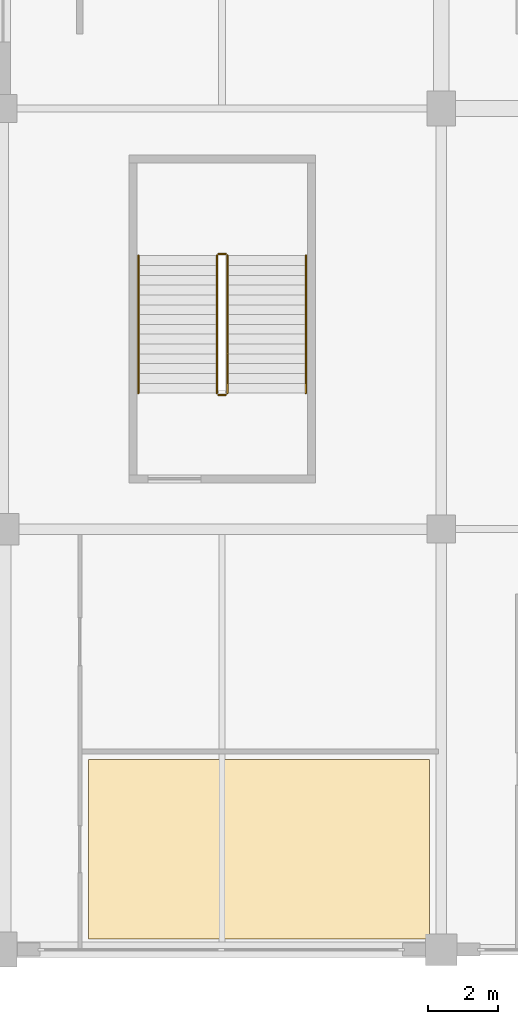
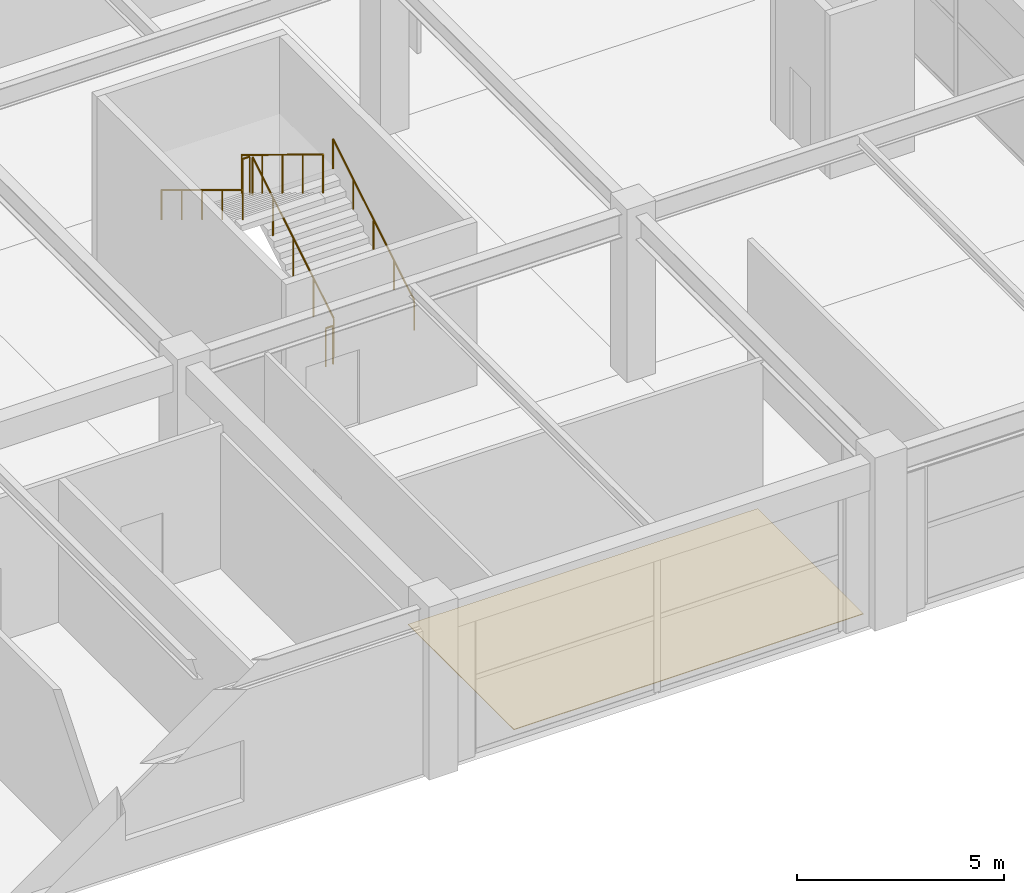
# One storey, part 103 of 116: 6 railings, 1 covering.
"""IFC4 building model written with IfcOpenShell, lengths in metres."""

from ifc_helpers import new_model, si_unit, direction, frame, origin, origin_2d, place, context, subcontext, project, spatial, polyline, circle, outline, extrude, material, layer, layer_set, type_object, element, save


model = new_model("IFC4")

# Units and contexts
model_context = context("Model", 3, precision=1e-05, world=origin(), true_north=direction((0.0, 1.0)))
body_context = subcontext(model_context, "Body", "Model", "MODEL_VIEW")
ifc_project = project(units=[si_unit("LENGTHUNIT", "METRE"), si_unit("AREAUNIT", "SQUARE_METRE"), si_unit("VOLUMEUNIT", "CUBIC_METRE"), si_unit("PLANEANGLEUNIT", "RADIAN"), si_unit("MASSUNIT", "GRAM", prefix="KILO")], contexts=[model_context])

# Site, building, storey
site_placement = place(None, origin())
site = spatial("IfcSite", under=ifc_project, at=site_placement, CompositionType="ELEMENT")
building_placement = place(site_placement, origin())
building = spatial("IfcBuilding", under=site, at=building_placement, Name="Kazenohara Klinker Stadium", CompositionType="ELEMENT")
storey_placement = place(building_placement, frame((0.0, 0.0, 10.199951171875)))
storey = spatial("IfcBuildingStorey", under=building, at=storey_placement, Name="L02", CompositionType="ELEMENT", Elevation=10.199951171875)

# Covering
ifc_material_1 = material(Name="Slip-resistant honed basalt terrazzo flooring", Category="masonry")
ifc_layer_1 = layer(ifc_material_1, 0.02001953125)
ifc_layer_set_1 = layer_set([ifc_layer_1], Name="Slip-resistant honed basalt terrazzo flooring")
covering_type = type_object("IfcCoveringType", Name="COV-FLR-01", PredefinedType="FLOORING", material=ifc_layer_set_1)
covering_placement = place(storey_placement, origin())
element("IfcCovering", 1, at=covering_placement, inside=storey, type_object=covering_type, Name="Interior floor finish FL01 Founders Club Hospitality Lounge L02-1401A", PredefinedType="FLOORING", context=body_context, shape_type="SweptSolid", body=[
    extrude(outline(polyline([(177.429931640625, 12.31005859375), (187.169921875, 12.31005859375), (187.169921875, 17.419677734375), (177.429931640625, 17.419677734375), (177.429931640625, 12.31005859375)])), origin(), (0.0, 0.0, 1.0), 0.02001953125),
])

# Railings
ifc_material_2 = material(Name="Brushed stainless steel 304 handrail", Category="steel")
ifc_layer_2 = layer(ifc_material_2, 0.050048828125)
ifc_layer_set_2 = layer_set([ifc_layer_2], Name="Brushed stainless steel 304 handrail")
railing_type_1 = type_object("IfcRailingType", Name="RL-HND-900", PredefinedType="HANDRAIL", material=ifc_layer_set_2)
railing_1_placement = place(storey_placement, frame((183.639892578125, 27.8798828125, 0.170166015625)))
element("IfcRailing", 2, at=railing_1_placement, inside=storey, type_object=railing_type_1, Name="L02 ST16 stair handrail 1", PredefinedType="HANDRAIL", context=body_context, shape_type="SweptSolid", body=[
    extrude(circle(Radius=0.02392578125, at=origin_2d()), frame((0.0, 0.0, 0.8759765625), z_axis=(0.0, 0.854808600491, 0.518943403973), x_axis=(-1.0, 0.0, 0.0)), (0.0, 0.0, 1.0), 4.5859375),
    extrude(circle(Radius=0.02099609375, at=origin_2d()), origin(), (0.0, 0.0, 1.0), 0.851806640625),
    extrude(circle(Radius=0.02099609375, at=origin_2d()), frame((0.0, 0.97998046875, 0.594970703125)), (0.0, 0.0, 1.0), 0.851806640625),
    extrude(circle(Radius=0.02099609375, at=origin_2d()), frame((0.0, 1.9599609375, 1.18994140625)), (0.0, 0.0, 1.0), 0.851806640625),
    extrude(circle(Radius=0.02099609375, at=origin_2d()), frame((0.0, 2.940185546875, 1.784912109375)), (0.0, 0.0, 1.0), 0.851806640625),
    extrude(circle(Radius=0.02099609375, at=origin_2d()), frame((0.0, 3.920166015625, 2.3798828125)), (0.0, 0.0, 1.0), 0.851806640625),
])
railing_2_placement = place(storey_placement, frame((178.860107421875, 31.800048828125, 2.719970703125)))
element("IfcRailing", 3, at=railing_2_placement, inside=storey, type_object=railing_type_1, Name="L02 ST16 stair handrail 2", PredefinedType="HANDRAIL", context=body_context, shape_type="SweptSolid", body=[
    extrude(circle(Radius=0.02392578125, at=origin_2d()), frame((0.0, 0.0, 0.8759765625), z_axis=(0.0, -0.854784984964, 0.518982301701), x_axis=(1.0, 0.0, 0.0)), (0.0, 0.0, 1.0), 4.586181640625),
    extrude(circle(Radius=0.02099609375, at=origin_2d()), origin(), (0.0, 0.0, 1.0), 0.851806640625),
    extrude(circle(Radius=0.02099609375, at=origin_2d()), frame((0.0, -0.97998046875, 0.594970703125)), (0.0, 0.0, 1.0), 0.851806640625),
    extrude(circle(Radius=0.02099609375, at=origin_2d()), frame((0.0, -1.9599609375, 1.18994140625)), (0.0, 0.0, 1.0), 0.851806640625),
    extrude(circle(Radius=0.02099609375, at=origin_2d()), frame((0.0, -2.940185546875, 1.78515625)), (0.0, 0.0, 1.0), 0.851806640625),
    extrude(circle(Radius=0.02099609375, at=origin_2d()), frame((0.0, -3.920166015625, 2.380126953125)), (0.0, 0.0, 1.0), 0.851806640625),
])
ifc_material_3 = material(Name="Painted steel stairwell guardrail", Category="steel")
ifc_layer_3 = layer(ifc_material_3, 0.06005859375)
ifc_layer_set_3 = layer_set([ifc_layer_3], Name="Painted steel stairwell guardrail")
railing_type_2 = type_object("IfcRailingType", Name="RL-STG-1120", PredefinedType="GUARDRAIL", material=ifc_layer_set_3)
railing_3_placement = place(storey_placement, frame((181.39990234375, 27.8798828125, 0.170166015625)))
element("IfcRailing", 4, at=railing_3_placement, inside=storey, type_object=railing_type_2, Name="L02 ST16 stair guard 1", PredefinedType="GUARDRAIL", context=body_context, shape_type="SweptSolid", body=[
    extrude(circle(Radius=0.02392578125, at=origin_2d()), frame((0.0, 0.0, 1.1259765625), z_axis=(0.0, 0.854808600491, 0.518943403973), x_axis=(-1.0, 0.0, 0.0)), (0.0, 0.0, 1.0), 4.5859375),
    extrude(circle(Radius=0.02099609375, at=origin_2d()), origin(), (0.0, 0.0, 1.0), 1.101806640625),
    extrude(circle(Radius=0.02099609375, at=origin_2d()), frame((0.0, 0.97998046875, 0.594970703125)), (0.0, 0.0, 1.0), 1.101806640625),
    extrude(circle(Radius=0.02099609375, at=origin_2d()), frame((0.0, 1.9599609375, 1.18994140625)), (0.0, 0.0, 1.0), 1.101806640625),
    extrude(circle(Radius=0.02099609375, at=origin_2d()), frame((0.0, 2.940185546875, 1.784912109375)), (0.0, 0.0, 1.0), 1.101806640625),
    extrude(circle(Radius=0.02099609375, at=origin_2d()), frame((0.0, 3.920166015625, 2.3798828125)), (0.0, 0.0, 1.0), 1.101806640625),
])
railing_4_placement = place(storey_placement, frame((181.35009765625, 31.85009765625, 2.550048828125)))
element("IfcRailing", 5, at=railing_4_placement, inside=storey, type_object=railing_type_2, Name="L02 ST16 stair guard 2", PredefinedType="GUARDRAIL", context=body_context, shape_type="SweptSolid", body=[
    extrude(circle(Radius=0.02392578125, at=origin_2d()), frame((0.0, 0.0, 1.1259765625), z_axis=(-1.0, 0.0, 0.0), x_axis=(0.0, -1.0, 0.0)), (0.0, 0.0, 1.0), 0.2001953125),
    extrude(circle(Radius=0.02099609375, at=origin_2d()), origin(), (0.0, 0.0, 1.0), 1.101806640625),
    extrude(circle(Radius=0.02099609375, at=origin_2d()), frame((-0.2001953125, 0.0, 0.0)), (0.0, 0.0, 1.0), 1.101806640625),
])
railing_5_placement = place(storey_placement, frame((181.10009765625, 31.800048828125, 2.719970703125)))
element("IfcRailing", 6, at=railing_5_placement, inside=storey, type_object=railing_type_2, Name="L02 ST16 stair guard 3", PredefinedType="GUARDRAIL", context=body_context, shape_type="SweptSolid", body=[
    extrude(circle(Radius=0.02392578125, at=origin_2d()), frame((0.0, 0.0, 1.1259765625), z_axis=(0.0, -0.854784984964, 0.518982301701), x_axis=(1.0, 0.0, 0.0)), (0.0, 0.0, 1.0), 4.586181640625),
    extrude(circle(Radius=0.02099609375, at=origin_2d()), origin(), (0.0, 0.0, 1.0), 1.101806640625),
    extrude(circle(Radius=0.02099609375, at=origin_2d()), frame((0.0, -0.97998046875, 0.594970703125)), (0.0, 0.0, 1.0), 1.101806640625),
    extrude(circle(Radius=0.02099609375, at=origin_2d()), frame((0.0, -1.9599609375, 1.18994140625)), (0.0, 0.0, 1.0), 1.101806640625),
    extrude(circle(Radius=0.02099609375, at=origin_2d()), frame((0.0, -2.940185546875, 1.78515625)), (0.0, 0.0, 1.0), 1.101806640625),
    extrude(circle(Radius=0.02099609375, at=origin_2d()), frame((0.0, -3.920166015625, 2.380126953125)), (0.0, 0.0, 1.0), 1.101806640625),
])
railing_6_placement = place(storey_placement, frame((181.35009765625, 27.830078125, 0.0)))
element("IfcRailing", 7, at=railing_6_placement, inside=storey, type_object=railing_type_2, Name="L02 ST16 stair guard 4", PredefinedType="GUARDRAIL", context=body_context, shape_type="SweptSolid", body=[
    extrude(circle(Radius=0.02392578125, at=origin_2d()), frame((0.0, 0.0, 1.1259765625), z_axis=(-1.0, 0.0, 0.0), x_axis=(0.0, -1.0, 0.0)), (0.0, 0.0, 1.0), 0.2001953125),
    extrude(circle(Radius=0.02099609375, at=origin_2d()), origin(), (0.0, 0.0, 1.0), 1.101806640625),
    extrude(circle(Radius=0.02099609375, at=origin_2d()), frame((-0.2001953125, 0.0, 0.0)), (0.0, 0.0, 1.0), 1.101806640625),
])

save(model, "model.ifc")
